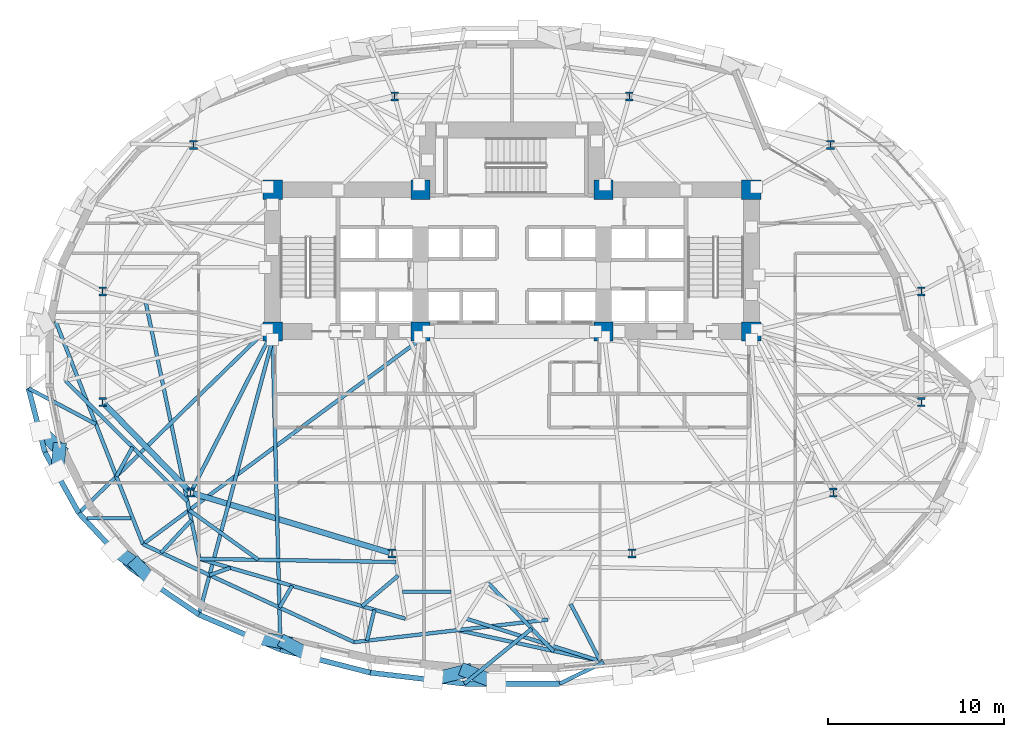
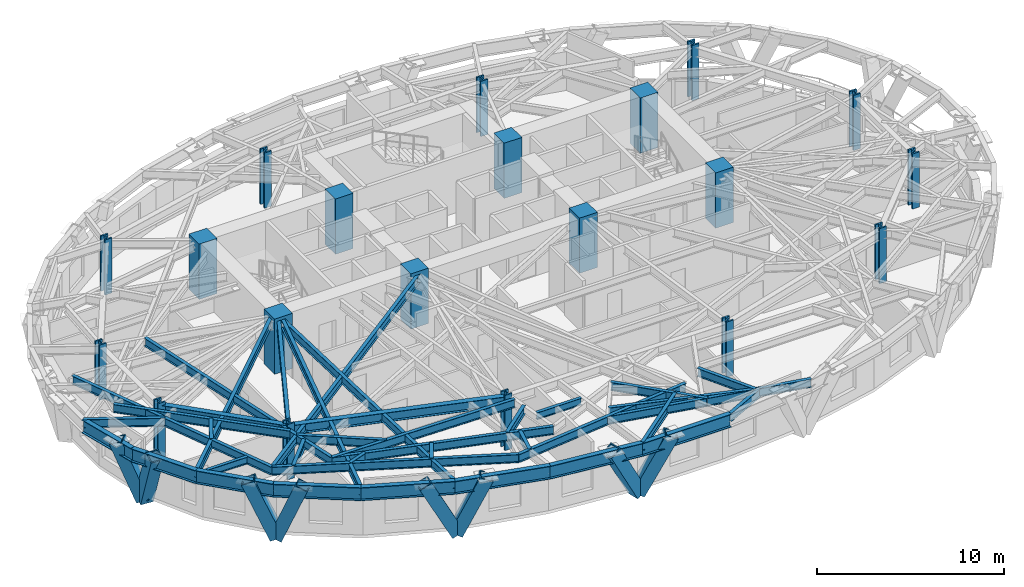
# One storey, part 1 of 15: 38 beams, 20 columns, 8 members.
"""IFC4 building model written with IfcOpenShell, lengths in metres."""

from ifc_helpers import new_model, si_unit, direction, frame, origin, origin_2d, place, context, subcontext, project, spatial, rectangle, hollow_rectangle, i_section, extrude, material, material_profile, profile_set, type_object, element, save


model = new_model("IFC4")

# Units and contexts
model_context = context("Model", 3, precision=1e-05, world=origin(), true_north=direction((0.0, 1.0)))
body_context = subcontext(model_context, "Body", "Model", "MODEL_VIEW")
ifc_project = project(units=[si_unit("LENGTHUNIT", "METRE"), si_unit("AREAUNIT", "SQUARE_METRE"), si_unit("VOLUMEUNIT", "CUBIC_METRE"), si_unit("PLANEANGLEUNIT", "RADIAN"), si_unit("MASSUNIT", "GRAM", prefix="KILO")], contexts=[model_context])

# Site, building, storey
site_placement = place(None, origin())
site = spatial("IfcSite", under=ifc_project, at=site_placement, CompositionType="ELEMENT")
building_placement = place(site_placement, origin())
building = spatial("IfcBuilding", under=site, at=building_placement, Name="Keldmark Tower", CompositionType="ELEMENT")
storey_placement = place(building_placement, frame((0.0, 0.0, 37.800048828125)))
storey = spatial("IfcBuildingStorey", under=building, at=storey_placement, Name="L09", CompositionType="ELEMENT", Elevation=37.800048828125)

# Columns
ifc_material_1 = material(Name="Concrete C70/85", Category="concrete")
ifc_material_profile_1 = material_profile(ifc_material_1, rectangle(XDim=1.10009765625, YDim=1.10009765625, at=origin_2d()), Name="RC1100X1100")
ifc_profile_set_1 = profile_set([ifc_material_profile_1], Name="Concrete C70/85")
column_type_1 = type_object("IfcColumnType", Name="Core Boundary Column RC1100", PredefinedType="COLUMN", material=ifc_profile_set_1)
for number, where, z_axis, x_axis, name in (
    (1, (-13.60009765625, 1.39990234375, 0.0), (0.0, 0.0, 1.0), (1.0, 0.0, 0.0), "L09 Core Boundary Column CC-W1"),
    (2, (-13.60009765625, 9.449951171875, 0.0), (0.0, 0.0, 1.0), (1.0, 0.0, 0.0), "L09 Core Boundary Column CC-W2"),
    (3, (-5.199951171875, 1.39990234375, 0.0), (0.0, 0.0, 1.0), (1.0, 0.0, 0.0), "L09 Core Boundary Column CC-W3"),
    (4, (-5.199951171875, 9.449951171875, 0.0), (0.0, 0.0, 1.0), (1.0, 0.0, 0.0), "L09 Core Boundary Column CC-W4"),
    (5, (5.199951171875, 1.39990234375, 0.0), (0.0, 0.0, 1.0), (1.0, 0.0, 0.0), "L09 Core Boundary Column CC-E1"),
    (6, (5.199951171875, 9.449951171875, 0.0), (0.0, 0.0, 1.0), (1.0, 0.0, 0.0), "L09 Core Boundary Column CC-E2"),
    (7, (13.60009765625, 1.39990234375, 0.0), (0.0, 0.0, 1.0), (1.0, 0.0, 0.0), "L09 Core Boundary Column CC-E3"),
    (8, (13.60009765625, 9.449951171875, 0.0), (0.0, 0.0, 1.0), (1.0, 0.0, 0.0), "L09 Core Boundary Column CC-E4"),
):
    element("IfcColumn", number, at=place(storey_placement, frame(where, z_axis=z_axis, x_axis=x_axis)), inside=storey, type_object=column_type_1, Name=name, PredefinedType="COLUMN", context=body_context, shape_type="SweptSolid", body=[
        extrude(rectangle(XDim=1.10009765625, YDim=1.10009765625, at=origin_2d()), origin(), (0.0, 0.0, 1.0), 3.599853515625),
    ])
ifc_material_2 = material(Name="Steel ASTM A992 Grade 50", Category="steel")
ifc_material_profile_2 = material_profile(ifc_material_2, i_section(OverallWidth=0.43701171875, OverallDepth=0.513916015625, WebThickness=0.060546875, FlangeThickness=0.096923828125, at=origin_2d()), Name="W14X550")
ifc_profile_set_2 = profile_set([ifc_material_profile_2], Name="Steel ASTM A992 Grade 50")
column_type_2 = type_object("IfcColumnType", Name="Tower Gravity Column W14X550", PredefinedType="COLUMN", material=ifc_profile_set_2)
for number, where, z_axis, x_axis, name in (
    (9, (23.25390625, 3.67724609375, 0.0), (0.0, 0.0, 1.0), (1.0, 0.0, 0.0), "L09 Tower Gravity Column TC-E1"),
    (10, (18.09765625, 12.00732421875, 0.0), (0.0, 0.0, 1.0), (1.0, 0.0, 0.0), "L09 Tower Gravity Column TC-E4"),
    (11, (6.6650390625, 14.760009765625, 0.0), (0.0, 0.0, 1.0), (1.0, 0.0, 0.0), "L09 Tower Gravity Column TC-N2"),
    (12, (-6.6650390625, 14.760009765625, 0.0), (0.0, 0.0, 1.0), (1.0, 0.0, 0.0), "L09 Tower Gravity Column TC-N1"),
    (13, (-18.09765625, 12.00732421875, 0.0), (0.0, 0.0, 1.0), (1.0, 0.0, 0.0), "L09 Tower Gravity Column TC-W4"),
    (14, (-23.25390625, 3.67724609375, 0.0), (0.0, 0.0, 1.0), (1.0, 0.0, 0.0), "L09 Tower Gravity Column TC-W1"),
    (15, (-23.25390625, -2.61328125, 0.0), (0.0, 0.0, 1.0), (1.0, 0.0, 0.0), "L09 Tower Gravity Column TC-W5"),
    (16, (-18.252685546875, -7.755615234375, 0.0), (0.0, 0.0, 1.0), (1.0, 0.0, 0.0), "L09 Tower Gravity Column TC-W2"),
    (17, (-6.822021484375, -11.205810546875, 0.0), (0.0, 0.0, 1.0), (1.0, 0.0, 0.0), "L09 Tower Gravity Column TC-W3"),
    (18, (6.822021484375, -11.205810546875, 0.0), (0.0, 0.0, 1.0), (1.0, 0.0, 0.0), "L09 Tower Gravity Column TC-E3"),
    (19, (18.252685546875, -7.755615234375, 0.0), (0.0, 0.0, 1.0), (1.0, 0.0, 0.0), "L09 Tower Gravity Column TC-E2"),
    (20, (23.25390625, -2.61328125, 0.0), (0.0, 0.0, 1.0), (1.0, 0.0, 0.0), "L09 Tower Gravity Column TC-E5"),
):
    element("IfcColumn", number, at=place(storey_placement, frame(where, z_axis=z_axis, x_axis=x_axis)), inside=storey, type_object=column_type_2, Name=name, PredefinedType="COLUMN", context=body_context, shape_type="SweptSolid", body=[
        extrude(i_section(OverallWidth=0.43701171875, OverallDepth=0.513916015625, WebThickness=0.060546875, FlangeThickness=0.096923828125, at=origin_2d()), origin(), (0.0, 0.0, 1.0), 3.599853515625),
    ])

# Beams
ifc_material_3 = material(Name="Steel ASTM A992 Grade 50", Category="steel")
ifc_material_profile_3 = material_profile(ifc_material_3, i_section(OverallWidth=0.19091796875, OverallDepth=0.45703125, WebThickness=0.009033203125, FlangeThickness=0.014404296875, at=origin_2d()), Name="W18X50")
ifc_profile_set_3 = profile_set([ifc_material_profile_3], Name="Steel ASTM A992 Grade 50")
beam_type_1 = type_object("IfcBeamType", Name="Composite Floor Joist W18X50", PredefinedType="JOIST", material=ifc_profile_set_3)
beam_1_placement = place(storey_placement, frame((-6.2177734375, -13.3798828125, 3.17138671875), z_axis=(1.0, 0.0, 0.0), x_axis=(0.0, 1.0, 0.0)))
element("IfcBeam", 21, at=beam_1_placement, inside=storey, type_object=beam_type_1, Name="L09 Composite Floor Joist J01", PredefinedType="JOIST", context=body_context, shape_type="SweptSolid", body=[
    extrude(i_section(OverallWidth=0.19091796875, OverallDepth=0.45703125, WebThickness=0.009033203125, FlangeThickness=0.014404296875, at=origin_2d()), origin(), (0.0, 0.0, 1.0), 2.74853515625),
])
beam_2_placement = place(storey_placement, frame((-24.150390625, -9.199951171875, 3.17138671875), z_axis=(1.0, 0.0, 0.0), x_axis=(0.0, 1.0, 0.0)))
element("IfcBeam", 22, at=beam_2_placement, inside=storey, type_object=beam_type_1, Name="L09 Composite Floor Joist J04", PredefinedType="JOIST", context=body_context, shape_type="SweptSolid", body=[
    extrude(i_section(OverallWidth=0.19091796875, OverallDepth=0.45703125, WebThickness=0.009033203125, FlangeThickness=0.014404296875, at=origin_2d()), origin(), (0.0, 0.0, 1.0), 2.499755859375),
])

# Members
ifc_material_4 = material(Name="Steel ASTM A572 Grade 50", Category="steel")
ifc_material_profile_4 = material_profile(ifc_material_4, hollow_rectangle(XDim=0.75, YDim=0.75, WallThickness=0.06494140625, at=origin_2d()), Name="BOX750X750X65")
ifc_profile_set_4 = profile_set([ifc_material_profile_4], Name="Steel ASTM A572 Grade 50")
member_type = type_object("IfcMemberType", Name="Diagrid Lower Brace BOX750X750X65", PredefinedType="BRACE", material=ifc_profile_set_4)
member_1_placement = place(storey_placement, frame((-25.716064453125, -5.290283203125, -0.280029296875), z_axis=(-0.277451695982, 0.271447616001, 0.921594676723), x_axis=(-0.699330329006, -0.714798636633, 0.0)))
element("IfcMember", 23, at=member_1_placement, inside=storey, type_object=member_type, Name="L09 Perimeter Diagrid Brace 09A", PredefinedType="BRACE", context=body_context, shape_type="SweptSolid", body=[
    extrude(hollow_rectangle(XDim=0.75, YDim=0.75, WallThickness=0.06494140625, at=origin_2d()), origin(), (0.0, 0.0, 1.0), 3.863037109375),
])
member_2_placement = place(storey_placement, frame((-25.71826171875, -5.27880859375, -0.280029296875), z_axis=(-0.031452214686, -0.345459805886, 0.937906328323), x_axis=(0.995881038918, -0.090669489486, 0.0)))
element("IfcMember", 24, at=member_2_placement, inside=storey, type_object=member_type, Name="L09 Perimeter Diagrid Brace 09B", PredefinedType="BRACE", context=body_context, shape_type="SweptSolid", body=[
    extrude(hollow_rectangle(XDim=0.75, YDim=0.75, WallThickness=0.06494140625, at=origin_2d()), origin(), (0.0, 0.0, 1.0), 3.795654296875),
])
member_3_placement = place(storey_placement, frame((-21.317626953125, -11.8515625, -0.280029296875), z_axis=(-0.329831680959, 0.225085287425, 0.916813871852), x_axis=(-0.563678774046, -0.825994091801, 0.0)))
element("IfcMember", 25, at=member_3_placement, inside=storey, type_object=member_type, Name="L09 Perimeter Diagrid Brace 10A", PredefinedType="BRACE", context=body_context, shape_type="SweptSolid", body=[
    extrude(hollow_rectangle(XDim=0.75, YDim=0.75, WallThickness=0.06494140625, at=origin_2d()), origin(), (0.0, 0.0, 1.0), 3.883056640625),
])
member_4_placement = place(storey_placement, frame((-21.32421875, -11.841796875, -0.280029296875), z_axis=(0.258538863784, -0.273343374785, 0.926520941681), x_axis=(0.726507151953, 0.687158903137, 0.0)))
element("IfcMember", 26, at=member_4_placement, inside=storey, type_object=member_type, Name="L09 Perimeter Diagrid Brace 10B", PredefinedType="BRACE", context=body_context, shape_type="SweptSolid", body=[
    extrude(hollow_rectangle(XDim=0.75, YDim=0.75, WallThickness=0.06494140625, at=origin_2d()), origin(), (0.0, 0.0, 1.0), 3.84228515625),
])
member_5_placement = place(storey_placement, frame((-12.846923828125, -16.282470703125, -0.280029296875), z_axis=(-0.452329745147, 0.079134860464, 0.888332975587), x_axis=(-0.172332060409, -0.985038913422, 0.0)))
element("IfcMember", 27, at=member_5_placement, inside=storey, type_object=member_type, Name="L09 Perimeter Diagrid Brace 11A", PredefinedType="BRACE", context=body_context, shape_type="SweptSolid", body=[
    extrude(hollow_rectangle(XDim=0.75, YDim=0.75, WallThickness=0.06494140625, at=origin_2d()), origin(), (0.0, 0.0, 1.0), 4.007568359375),
])
member_6_placement = place(storey_placement, frame((-12.856689453125, -16.27587890625, -0.280029296875), z_axis=(0.365802884275, -0.199670524596, 0.909021414194), x_axis=(0.479114117667, 0.877752620191, 0.0)))
element("IfcMember", 28, at=member_6_placement, inside=storey, type_object=member_type, Name="L09 Perimeter Diagrid Brace 11B", PredefinedType="BRACE", context=body_context, shape_type="SweptSolid", body=[
    extrude(hollow_rectangle(XDim=0.75, YDim=0.75, WallThickness=0.06494140625, at=origin_2d()), origin(), (0.0, 0.0, 1.0), 3.916259765625),
])
member_7_placement = place(storey_placement, frame((-2.59228515625, -17.8896484375, -0.280029296875), z_axis=(-0.463476695477, -0.112237431003, 0.87897219059), x_axis=(0.235361246264, -0.971907960538, 0.0)))
element("IfcMember", 29, at=member_7_placement, inside=storey, type_object=member_type, Name="L09 Perimeter Diagrid Brace 12A", PredefinedType="BRACE", context=body_context, shape_type="SweptSolid", body=[
    extrude(hollow_rectangle(XDim=0.75, YDim=0.75, WallThickness=0.06494140625, at=origin_2d()), origin(), (0.0, 0.0, 1.0), 4.05029296875),
])
member_8_placement = place(storey_placement, frame((-2.603759765625, -17.88720703125, -0.280029296875), z_axis=(0.426567459627, -0.16590766976, 0.889109018907), x_axis=(0.362484833205, 0.931989670381, 0.0)))
element("IfcMember", 30, at=member_8_placement, inside=storey, type_object=member_type, Name="L09 Perimeter Diagrid Brace 12B", PredefinedType="BRACE", context=body_context, shape_type="SweptSolid", body=[
    extrude(hollow_rectangle(XDim=0.75, YDim=0.75, WallThickness=0.06494140625, at=origin_2d()), origin(), (0.0, 0.0, 1.0), 4.004150390625),
])

# Beams
ifc_material_5 = material(Name="Steel ASTM A992 Grade 50", Category="steel")
ifc_material_profile_5 = material_profile(ifc_material_5, i_section(OverallWidth=0.323974609375, OverallDepth=0.611083984375, WebThickness=0.0126953125, FlangeThickness=0.01904296875, at=origin_2d()), Name="W24X104")
ifc_profile_set_5 = profile_set([ifc_material_profile_5], Name="Steel ASTM A992 Grade 50")
beam_type_2 = type_object("IfcBeamType", Name="Primary Floor Girder W24X104", PredefinedType="BEAM", material=ifc_profile_set_5)
beam_3_placement = place(storey_placement, frame((-23.156494140625, -2.713623046875, 3.094482421875), z_axis=(0.697210382268, -0.716866572563, 0.0), x_axis=(0.716866572563, 0.697210382268, 0.0)))
element("IfcBeam", 31, at=beam_3_placement, inside=storey, type_object=beam_type_2, Name="L09 Floor Ring Girder FG-R07", PredefinedType="BEAM", context=body_context, shape_type="SweptSolid", body=[
    extrude(i_section(OverallWidth=0.323974609375, OverallDepth=0.611083984375, WebThickness=0.0126953125, FlangeThickness=0.01904296875, at=origin_2d()), origin(), (0.0, 0.0, 1.0), 6.893310546875),
])
beam_4_placement = place(storey_placement, frame((-18.118896484375, -7.796142578125, 3.094482421875), z_axis=(0.957346071406, -0.2889437654, 0.0), x_axis=(0.2889437654, 0.957346071406, 0.0)))
element("IfcBeam", 32, at=beam_4_placement, inside=storey, type_object=beam_type_2, Name="L09 Floor Ring Girder FG-R08", PredefinedType="BEAM", context=body_context, shape_type="SweptSolid", body=[
    extrude(i_section(OverallWidth=0.323974609375, OverallDepth=0.611083984375, WebThickness=0.0126953125, FlangeThickness=0.01904296875, at=origin_2d()), origin(), (0.0, 0.0, 1.0), 11.66015625),
])
ifc_material_6 = material(Name="Steel ASTM A992 Grade 50", Category="steel")
ifc_material_profile_6 = material_profile(ifc_material_6, i_section(OverallWidth=0.2099609375, OverallDepth=0.537109375, WebThickness=0.010986328125, FlangeThickness=0.017333984375, at=origin_2d()), Name="W21X68")
ifc_profile_set_6 = profile_set([ifc_material_profile_6], Name="Steel ASTM A992 Grade 50")
beam_type_3 = type_object("IfcBeamType", Name="Radial Tie Girder W21X68", PredefinedType="BEAM", material=ifc_profile_set_6)
beam_5_placement = place(storey_placement, frame((-25.365966796875, -1.396728515625, 3.13134765625), z_axis=(0.710554680152, -0.703641987458, 0.0), x_axis=(0.703641987458, 0.710554680152, 0.0)))
element("IfcBeam", 33, at=beam_5_placement, inside=storey, type_object=beam_type_3, Name="L09 Framing Pin Header PH-006", PredefinedType="BEAM", context=body_context, shape_type="SweptSolid", body=[
    extrude(i_section(OverallWidth=0.2099609375, OverallDepth=0.537109375, WebThickness=0.010986328125, FlangeThickness=0.017333984375, at=origin_2d()), origin(), (0.0, 0.0, 1.0), 9.747802734375),
])
beam_6_placement = place(storey_placement, frame((-20.816162109375, 3.102294921875, 3.13134765625), z_axis=(0.204805979275, -0.978802590338, 0.0), x_axis=(0.978802590338, 0.204805979275, 0.0)))
element("IfcBeam", 34, at=beam_6_placement, inside=storey, type_object=beam_type_3, Name="L09 Sub-Ring Step Girder STP1-M08", PredefinedType="BEAM", context=body_context, shape_type="SweptSolid", body=[
    extrude(i_section(OverallWidth=0.2099609375, OverallDepth=0.537109375, WebThickness=0.010986328125, FlangeThickness=0.017333984375, at=origin_2d()), origin(), (0.0, 0.0, 1.0), 14.9365234375),
])
beam_7_placement = place(storey_placement, frame((-17.757080078125, -11.517578125, 3.13134765625), z_axis=(0.999875069683, -0.015806486835, 0.0), x_axis=(0.015806486835, 0.999875069683, 0.0)))
element("IfcBeam", 35, at=beam_7_placement, inside=storey, type_object=beam_type_3, Name="L09 Framing Pin Header PH-007", PredefinedType="BEAM", context=body_context, shape_type="SweptSolid", body=[
    extrude(i_section(OverallWidth=0.2099609375, OverallDepth=0.537109375, WebThickness=0.010986328125, FlangeThickness=0.017333984375, at=origin_2d()), origin(), (0.0, 0.0, 1.0), 11.167236328125),
])
beam_8_placement = place(storey_placement, frame((-17.757080078125, -11.517578125, 3.13134765625), z_axis=(0.960268785137, -0.27907679999, 0.0), x_axis=(0.27907679999, 0.960268785137, 0.0)))
element("IfcBeam", 36, at=beam_8_placement, inside=storey, type_object=beam_type_3, Name="L09 Perimeter Collector Ring Beam CRG1-M08", PredefinedType="BEAM", context=body_context, shape_type="SweptSolid", body=[
    extrude(i_section(OverallWidth=0.2099609375, OverallDepth=0.537109375, WebThickness=0.010986328125, FlangeThickness=0.017333984375, at=origin_2d()), origin(), (0.0, 0.0, 1.0), 12.177490234375),
])
beam_9_placement = place(storey_placement, frame((-14.4072265625, -11.570556640625, 3.13134765625), z_axis=(-0.812111005772, 0.583502968548, 0.0), x_axis=(-0.583502968548, -0.812111005772, 0.0)))
element("IfcBeam", 37, at=beam_9_placement, inside=storey, type_object=beam_type_3, Name="L09 Framing Pin Header PH-011", PredefinedType="BEAM", context=body_context, shape_type="SweptSolid", body=[
    extrude(i_section(OverallWidth=0.2099609375, OverallDepth=0.537109375, WebThickness=0.010986328125, FlangeThickness=0.017333984375, at=origin_2d()), origin(), (0.0, 0.0, 1.0), 4.8388671875),
])
beam_10_placement = place(storey_placement, frame((-5.199951171875, 0.949951171875, 3.13134765625), z_axis=(-0.804551966945, -0.593882254731, 0.0), x_axis=(0.593882254731, -0.804551966945, 0.0)))
element("IfcBeam", 38, at=beam_10_placement, inside=storey, type_object=beam_type_3, Name="L09 Sub-Ring Step Girder STP2-M08", PredefinedType="BEAM", context=body_context, shape_type="SweptSolid", body=[
    extrude(i_section(OverallWidth=0.2099609375, OverallDepth=0.537109375, WebThickness=0.010986328125, FlangeThickness=0.017333984375, at=origin_2d()), origin(), (0.0, 0.0, 1.0), 19.59423828125),
])
beam_11_placement = place(storey_placement, frame((-6.46435546875, -12.46875, 3.13134765625), z_axis=(-0.764329245395, -0.644826181722, 0.0), x_axis=(0.644826181722, -0.764329245395, 0.0)))
element("IfcBeam", 39, at=beam_11_placement, inside=storey, type_object=beam_type_3, Name="L09 Framing Pin Header PH-012", PredefinedType="BEAM", context=body_context, shape_type="SweptSolid", body=[
    extrude(i_section(OverallWidth=0.2099609375, OverallDepth=0.537109375, WebThickness=0.010986328125, FlangeThickness=0.017333984375, at=origin_2d()), origin(), (0.0, 0.0, 1.0), 2.6884765625),
])
beam_12_placement = place(storey_placement, frame((-25.929931640625, 1.986328125, 3.13134765625), z_axis=(0.364800365892, -0.931085760306, 0.0), x_axis=(0.931085760306, 0.364800365892, 0.0)))
element("IfcBeam", 40, at=beam_12_placement, inside=storey, type_object=beam_type_3, Name="L09 Perimeter Collector Ring Beam CRG2-M07", PredefinedType="BEAM", context=body_context, shape_type="SweptSolid", body=[
    extrude(i_section(OverallWidth=0.2099609375, OverallDepth=0.537109375, WebThickness=0.010986328125, FlangeThickness=0.017333984375, at=origin_2d()), origin(), (0.0, 0.0, 1.0), 13.611083984375),
])
beam_13_placement = place(storey_placement, frame((-20.964599609375, -10.686767578125, 3.13134765625), z_axis=(0.907178634648, -0.420745677147, 0.0), x_axis=(0.420745677147, 0.907178634648, 0.0)))
element("IfcBeam", 41, at=beam_13_placement, inside=storey, type_object=beam_type_3, Name="L09 Perimeter Collector Ring Beam CRG2-M08", PredefinedType="BEAM", context=body_context, shape_type="SweptSolid", body=[
    extrude(i_section(OverallWidth=0.2099609375, OverallDepth=0.537109375, WebThickness=0.010986328125, FlangeThickness=0.017333984375, at=origin_2d()), origin(), (0.0, 0.0, 1.0), 13.22412109375),
])
beam_14_placement = place(storey_placement, frame((-8.968017578125, -16.250732421875, 3.13134765625), z_axis=(0.993286026042, 0.115684357068, 0.0), x_axis=(-0.115684357068, 0.993286026042, 0.0)))
element("IfcBeam", 42, at=beam_14_placement, inside=storey, type_object=beam_type_3, Name="L09 Perimeter Collector Ring Beam CRG2-M09", PredefinedType="BEAM", context=body_context, shape_type="SweptSolid", body=[
    extrude(i_section(OverallWidth=0.2099609375, OverallDepth=0.537109375, WebThickness=0.010986328125, FlangeThickness=0.017333984375, at=origin_2d()), origin(), (0.0, 0.0, 1.0), 11.081787109375),
])
beam_15_placement = place(storey_placement, frame((-27.4658203125, -1.8330078125, 3.13134765625), z_axis=(0.88344089832, -0.46854261191, 0.0), x_axis=(0.46854261191, 0.88344089832, 0.0)))
element("IfcBeam", 43, at=beam_15_placement, inside=storey, type_object=beam_type_3, Name="L09 Framing Pin Header PH-026", PredefinedType="BEAM", context=body_context, shape_type="SweptSolid", body=[
    extrude(i_section(OverallWidth=0.2099609375, OverallDepth=0.537109375, WebThickness=0.010986328125, FlangeThickness=0.017333984375, at=origin_2d()), origin(), (0.0, 0.0, 1.0), 4.332763671875),
])
beam_16_placement = place(storey_placement, frame((-21.556396484375, -5.169189453125, 3.13134765625), z_axis=(-0.484277203672, -0.874914618693, 0.0), x_axis=(0.874914618693, -0.484277203672, 0.0)))
element("IfcBeam", 44, at=beam_16_placement, inside=storey, type_object=beam_type_3, Name="L09 Framing Pin Header PH-027", PredefinedType="BEAM", context=body_context, shape_type="SweptSolid", body=[
    extrude(i_section(OverallWidth=0.2099609375, OverallDepth=0.537109375, WebThickness=0.010986328125, FlangeThickness=0.017333984375, at=origin_2d()), origin(), (0.0, 0.0, 1.0), 1.89794921875),
])
beam_17_placement = place(storey_placement, frame((-14.050048828125, 1.39990234375, 3.13134765625), z_axis=(-0.715378294414, -0.698737358298, 0.0), x_axis=(0.698737358298, -0.715378294414, 0.0)))
element("IfcBeam", 45, at=beam_17_placement, inside=storey, type_object=beam_type_3, Name="L09 Perimeter Radial Tie Girder RT-19", PredefinedType="BEAM", context=body_context, shape_type="SweptSolid", body=[
    extrude(i_section(OverallWidth=0.2099609375, OverallDepth=0.537109375, WebThickness=0.010986328125, FlangeThickness=0.017333984375, at=origin_2d()), origin(), (0.0, 0.0, 1.0), 14.759033203125),
])
beam_18_placement = place(storey_placement, frame((-18.216064453125, -9.32470703125, 3.13134765625), z_axis=(-0.681733860463, -0.731600262096, 0.0), x_axis=(0.731600262096, -0.681733860463, 0.0)))
element("IfcBeam", 46, at=beam_18_placement, inside=storey, type_object=beam_type_3, Name="L09 Framing Pin Header PH-028", PredefinedType="BEAM", context=body_context, shape_type="SweptSolid", body=[
    extrude(i_section(OverallWidth=0.2099609375, OverallDepth=0.537109375, WebThickness=0.010986328125, FlangeThickness=0.017333984375, at=origin_2d()), origin(), (0.0, 0.0, 1.0), 2.5166015625),
])
beam_19_placement = place(storey_placement, frame((-16.003173828125, -12.02734375, 3.13134765625), z_axis=(-0.944183253005, -0.329420680505, 0.0), x_axis=(0.329420680505, -0.944183253005, 0.0)))
element("IfcBeam", 47, at=beam_19_placement, inside=storey, type_object=beam_type_3, Name="L09 Framing Pin Header PH-029", PredefinedType="BEAM", context=body_context, shape_type="SweptSolid", body=[
    extrude(i_section(OverallWidth=0.2099609375, OverallDepth=0.537109375, WebThickness=0.010986328125, FlangeThickness=0.017333984375, at=origin_2d()), origin(), (0.0, 0.0, 1.0), 1.251708984375),
])
beam_20_placement = place(storey_placement, frame((-13.60009765625, 0.949951171875, 3.13134765625), z_axis=(-0.258628523431, -0.96597685628, 0.0), x_axis=(0.96597685628, -0.258628523431, 0.0)))
element("IfcBeam", 48, at=beam_20_placement, inside=storey, type_object=beam_type_3, Name="L09 Perimeter Radial Tie Girder RT-21", PredefinedType="BEAM", context=body_context, shape_type="SweptSolid", body=[
    extrude(i_section(OverallWidth=0.2099609375, OverallDepth=0.537109375, WebThickness=0.010986328125, FlangeThickness=0.017333984375, at=origin_2d()), origin(), (0.0, 0.0, 1.0), 16.1865234375),
])
beam_21_placement = place(storey_placement, frame((-12.4951171875, -13.046875, 3.13134765625), z_axis=(-0.503244034677, -0.864144340699, 0.0), x_axis=(0.864144340699, -0.503244034677, 0.0)))
element("IfcBeam", 49, at=beam_21_placement, inside=storey, type_object=beam_type_3, Name="L09 Framing Pin Header PH-030", PredefinedType="BEAM", context=body_context, shape_type="SweptSolid", body=[
    extrude(i_section(OverallWidth=0.2099609375, OverallDepth=0.537109375, WebThickness=0.010986328125, FlangeThickness=0.017333984375, at=origin_2d()), origin(), (0.0, 0.0, 1.0), 1.4287109375),
])
beam_22_placement = place(storey_placement, frame((-13.60009765625, 0.949951171875, 3.13134765625), z_axis=(0.02534127953, -0.99967885821, 0.0), x_axis=(0.99967885821, 0.02534127953, 0.0)))
element("IfcBeam", 50, at=beam_22_placement, inside=storey, type_object=beam_type_3, Name="L09 Perimeter Radial Tie Girder RT-22", PredefinedType="BEAM", context=body_context, shape_type="SweptSolid", body=[
    extrude(i_section(OverallWidth=0.2099609375, OverallDepth=0.537109375, WebThickness=0.010986328125, FlangeThickness=0.017333984375, at=origin_2d()), origin(), (0.0, 0.0, 1.0), 17.63037109375),
])
beam_23_placement = place(storey_placement, frame((-7.8173828125, -14.40625, 3.13134765625), z_axis=(-0.233031009995, -0.972469304596, 0.0), x_axis=(0.972469304596, -0.233031009995, 0.0)))
element("IfcBeam", 51, at=beam_23_placement, inside=storey, type_object=beam_type_3, Name="L09 Framing Pin Header PH-031", PredefinedType="BEAM", context=body_context, shape_type="SweptSolid", body=[
    extrude(i_section(OverallWidth=0.2099609375, OverallDepth=0.537109375, WebThickness=0.010986328125, FlangeThickness=0.017333984375, at=origin_2d()), origin(), (0.0, 0.0, 1.0), 1.809326171875),
])
beam_24_placement = place(storey_placement, frame((-1.34912109375, -12.88818359375, 3.13134765625), z_axis=(0.690178466372, -0.723639195011, 0.0), x_axis=(0.723639195011, 0.690178466372, 0.0)))
element("IfcBeam", 52, at=beam_24_placement, inside=storey, type_object=beam_type_3, Name="L09 Local Collector Chord RT-25C", PredefinedType="BEAM", context=body_context, shape_type="SweptSolid", body=[
    extrude(i_section(OverallWidth=0.2099609375, OverallDepth=0.537109375, WebThickness=0.010986328125, FlangeThickness=0.017333984375, at=origin_2d()), origin(), (0.0, 0.0, 1.0), 5.39208984375),
])
beam_25_placement = place(storey_placement, frame((-2.705078125, -18.611083984375, 3.13134765625), z_axis=(0.774080458609, 0.63308723222, 0.0), x_axis=(-0.63308723222, 0.774080458609, 0.0)))
element("IfcBeam", 53, at=beam_25_placement, inside=storey, type_object=beam_type_3, Name="L09 Framing Pin Header PH-034", PredefinedType="BEAM", context=body_context, shape_type="SweptSolid", body=[
    extrude(i_section(OverallWidth=0.2099609375, OverallDepth=0.537109375, WebThickness=0.010986328125, FlangeThickness=0.017333984375, at=origin_2d()), origin(), (0.0, 0.0, 1.0), 4.9453125),
])
beam_26_placement = place(storey_placement, frame((-2.657470703125, -14.89697265625, 3.13134765625), z_axis=(0.953420236774, -0.301645242147, 0.0), x_axis=(0.301645242147, 0.953420236774, 0.0)))
element("IfcBeam", 54, at=beam_26_placement, inside=storey, type_object=beam_type_3, Name="L09 Intermediate Radial Step Girder RT-26M", PredefinedType="BEAM", context=body_context, shape_type="SweptSolid", body=[
    extrude(i_section(OverallWidth=0.2099609375, OverallDepth=0.537109375, WebThickness=0.010986328125, FlangeThickness=0.017333984375, at=origin_2d()), origin(), (0.0, 0.0, 1.0), 8.253173828125),
])
beam_27_placement = place(storey_placement, frame((2.705078125, -18.611083984375, 3.13134765625), z_axis=(0.898468766926, 0.439037441296, 0.0), x_axis=(-0.439037441296, 0.898468766926, 0.0)))
element("IfcBeam", 55, at=beam_27_placement, inside=storey, type_object=beam_type_3, Name="L09 Local Collector Chord RT-26C", PredefinedType="BEAM", context=body_context, shape_type="SweptSolid", body=[
    extrude(i_section(OverallWidth=0.2099609375, OverallDepth=0.537109375, WebThickness=0.010986328125, FlangeThickness=0.017333984375, at=origin_2d()), origin(), (0.0, 0.0, 1.0), 2.789306640625),
])
beam_28_placement = place(storey_placement, frame((3.33544921875, -14.087646484375, 3.13134765625), z_axis=(0.461051419369, -0.887373421226, 0.0), x_axis=(0.887373421226, 0.461051419369, 0.0)))
element("IfcBeam", 56, at=beam_28_placement, inside=storey, type_object=beam_type_3, Name="L09 Framing Pin Header PH-036", PredefinedType="BEAM", context=body_context, shape_type="SweptSolid", body=[
    extrude(i_section(OverallWidth=0.2099609375, OverallDepth=0.537109375, WebThickness=0.010986328125, FlangeThickness=0.017333984375, at=origin_2d()), origin(), (0.0, 0.0, 1.0), 3.6484375),
])
beam_29_placement = place(storey_placement, frame((-3.093505859375, -15.56640625, 3.13134765625), z_axis=(0.977291004222, -0.21190161176, 0.0), x_axis=(0.21190161176, 0.977291004222, 0.0)))
element("IfcBeam", 57, at=beam_29_placement, inside=storey, type_object=beam_type_3, Name="L09 Perimeter Radial Tie Girder RT-26", PredefinedType="BEAM", context=body_context, shape_type="SweptSolid", body=[
    extrude(i_section(OverallWidth=0.2099609375, OverallDepth=0.537109375, WebThickness=0.010986328125, FlangeThickness=0.017333984375, at=origin_2d()), origin(), (0.0, 0.0, 1.0), 11.40283203125),
])
ifc_material_7 = material(Name="Steel ASTM A992 Grade 50", Category="steel")
ifc_material_profile_7 = material_profile(ifc_material_7, i_section(OverallWidth=0.214111328125, OverallDepth=0.549072265625, WebThickness=0.0146484375, FlangeThickness=0.023681640625, at=origin_2d()), Name="W21X93")
ifc_profile_set_7 = profile_set([ifc_material_profile_7], Name="Steel ASTM A992 Grade 50")
beam_type_4 = type_object("IfcBeamType", Name="Radial Tie Girder W21X93", PredefinedType="BEAM", material=ifc_profile_set_7)
beam_30_placement = place(storey_placement, frame((-18.189453125, -7.630859375, 3.12548828125), z_axis=(0.453037526986, 0.891491446478, 0.0), x_axis=(-0.891491446478, 0.453037526986, 0.0)))
element("IfcBeam", 58, at=beam_30_placement, inside=storey, type_object=beam_type_4, Name="L09 Floor Radial Girder FG-C08", PredefinedType="BEAM", context=body_context, shape_type="SweptSolid", body=[
    extrude(i_section(OverallWidth=0.214111328125, OverallDepth=0.549072265625, WebThickness=0.0146484375, FlangeThickness=0.023681640625, at=origin_2d()), origin(), (0.0, 0.0, 1.0), 9.81005859375),
])
ifc_material_8 = material(Name="Steel ASTM A992 Grade 50", Category="steel")
ifc_material_profile_8 = material_profile(ifc_material_8, i_section(OverallWidth=0.2919921875, OverallDepth=0.85888671875, WebThickness=0.01708984375, FlangeThickness=0.031005859375, at=origin_2d()), Name="W33X169")
ifc_profile_set_8 = profile_set([ifc_material_profile_8], Name="Steel ASTM A992 Grade 50")
beam_type_5 = type_object("IfcBeamType", Name="Spandrel Ring Beam W33X169", PredefinedType="SPANDREL", material=ifc_profile_set_8)
beam_31_placement = place(storey_placement, frame((-27.4658203125, -1.8330078125, 2.970458984375), z_axis=(0.248062710061, -0.968743976434, 0.0), x_axis=(0.968743976434, 0.248062710061, 0.0)))
element("IfcBeam", 59, at=beam_31_placement, inside=storey, type_object=beam_type_5, Name="L09 Perimeter Spandrel Ring Beam SRB-17", PredefinedType="SPANDREL", context=body_context, shape_type="SweptSolid", body=[
    extrude(i_section(OverallWidth=0.2919921875, OverallDepth=0.85888671875, WebThickness=0.01708984375, FlangeThickness=0.031005859375, at=origin_2d()), origin(), (0.0, 0.0, 1.0), 3.739013671875),
])
beam_32_placement = place(storey_placement, frame((-26.538330078125, -5.455078125, 2.970458984375), z_axis=(0.487369438963, -0.873195871477, 0.0), x_axis=(0.873195871477, 0.487369438963, 0.0)))
element("IfcBeam", 60, at=beam_32_placement, inside=storey, type_object=beam_type_5, Name="L09 Perimeter Spandrel Ring Beam SRB-18", PredefinedType="SPANDREL", context=body_context, shape_type="SweptSolid", body=[
    extrude(i_section(OverallWidth=0.2919921875, OverallDepth=0.85888671875, WebThickness=0.01708984375, FlangeThickness=0.031005859375, at=origin_2d()), origin(), (0.0, 0.0, 1.0), 3.9599609375),
])
beam_33_placement = place(storey_placement, frame((-24.6083984375, -8.912841796875, 2.970458984375), z_axis=(0.68299392258, -0.730424056093, 0.0), x_axis=(0.730424056093, 0.68299392258, 0.0)))
element("IfcBeam", 61, at=beam_33_placement, inside=storey, type_object=beam_type_5, Name="L09 Perimeter Spandrel Ring Beam SRB-19", PredefinedType="SPANDREL", context=body_context, shape_type="SweptSolid", body=[
    extrude(i_section(OverallWidth=0.2919921875, OverallDepth=0.85888671875, WebThickness=0.01708984375, FlangeThickness=0.031005859375, at=origin_2d()), origin(), (0.0, 0.0, 1.0), 4.298095703125),
])
beam_34_placement = place(storey_placement, frame((-21.6728515625, -12.05224609375, 2.970458984375), z_axis=(0.827842346852, -0.560960826402, 0.0), x_axis=(0.560960826402, 0.827842346852, 0.0)))
element("IfcBeam", 62, at=beam_34_placement, inside=storey, type_object=beam_type_5, Name="L09 Perimeter Spandrel Ring Beam SRB-20", PredefinedType="SPANDREL", context=body_context, shape_type="SweptSolid", body=[
    extrude(i_section(OverallWidth=0.2919921875, OverallDepth=0.85888671875, WebThickness=0.01708984375, FlangeThickness=0.031005859375, at=origin_2d()), origin(), (0.0, 0.0, 1.0), 4.69482421875),
])
beam_35_placement = place(storey_placement, frame((-17.786376953125, -14.685791015625, 2.970458984375), z_axis=(0.91889940345, -0.394491934442, 0.0), x_axis=(0.394491934442, 0.91889940345, 0.0)))
element("IfcBeam", 63, at=beam_35_placement, inside=storey, type_object=beam_type_5, Name="L09 Perimeter Spandrel Ring Beam SRB-21", PredefinedType="SPANDREL", context=body_context, shape_type="SweptSolid", body=[
    extrude(i_section(OverallWidth=0.2919921875, OverallDepth=0.85888671875, WebThickness=0.01708984375, FlangeThickness=0.031005859375, at=origin_2d()), origin(), (0.0, 0.0, 1.0), 5.0419921875),
])
beam_36_placement = place(storey_placement, frame((-13.1533203125, -16.6748046875, 2.970458984375), z_axis=(0.968691592339, -0.248267192621, 0.0), x_axis=(0.248267192621, 0.968691592339, 0.0)))
element("IfcBeam", 64, at=beam_36_placement, inside=storey, type_object=beam_type_5, Name="L09 Perimeter Spandrel Ring Beam SRB-22", PredefinedType="SPANDREL", context=body_context, shape_type="SweptSolid", body=[
    extrude(i_section(OverallWidth=0.2919921875, OverallDepth=0.85888671875, WebThickness=0.01708984375, FlangeThickness=0.031005859375, at=origin_2d()), origin(), (0.0, 0.0, 1.0), 5.26806640625),
])
beam_37_placement = place(storey_placement, frame((-8.05029296875, -17.982666015625, 2.970458984375), z_axis=(0.993159890371, -0.116762289112, 0.0), x_axis=(0.116762289112, 0.993159890371, 0.0)))
element("IfcBeam", 65, at=beam_37_placement, inside=storey, type_object=beam_type_5, Name="L09 Perimeter Spandrel Ring Beam SRB-23", PredefinedType="SPANDREL", context=body_context, shape_type="SweptSolid", body=[
    extrude(i_section(OverallWidth=0.2919921875, OverallDepth=0.85888671875, WebThickness=0.01708984375, FlangeThickness=0.031005859375, at=origin_2d()), origin(), (0.0, 0.0, 1.0), 5.382080078125),
])
beam_38_placement = place(storey_placement, frame((-2.705078125, -18.611083984375, 2.970458984375), z_axis=(1.0, 0.0, 0.0), x_axis=(0.0, 1.0, 0.0)))
element("IfcBeam", 66, at=beam_38_placement, inside=storey, type_object=beam_type_5, Name="L09 Perimeter Spandrel Ring Beam SRB-24", PredefinedType="SPANDREL", context=body_context, shape_type="SweptSolid", body=[
    extrude(i_section(OverallWidth=0.2919921875, OverallDepth=0.85888671875, WebThickness=0.01708984375, FlangeThickness=0.031005859375, at=origin_2d()), origin(), (0.0, 0.0, 1.0), 5.41015625),
])

save(model, "model.ifc")
